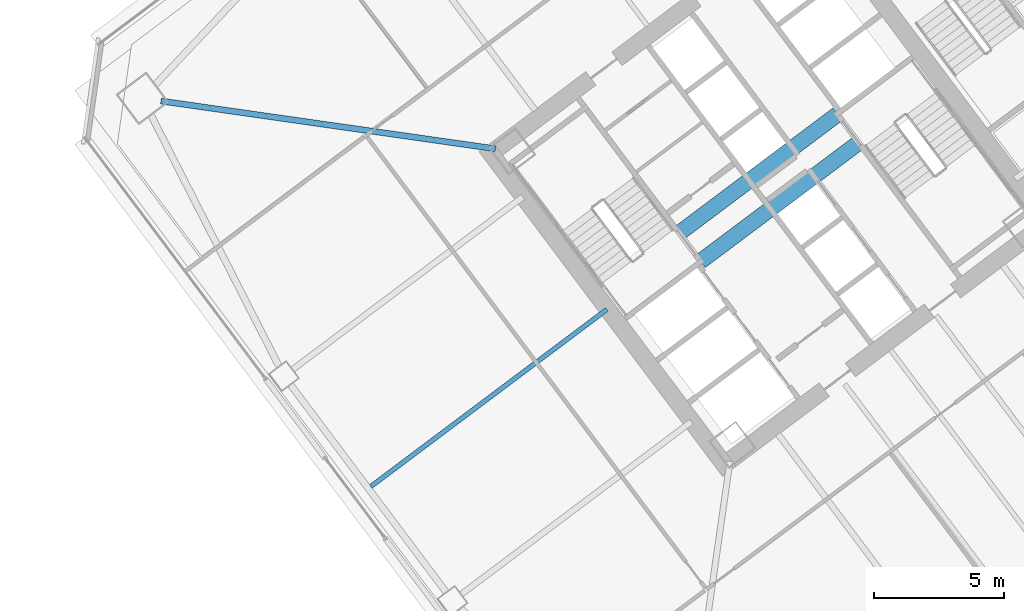
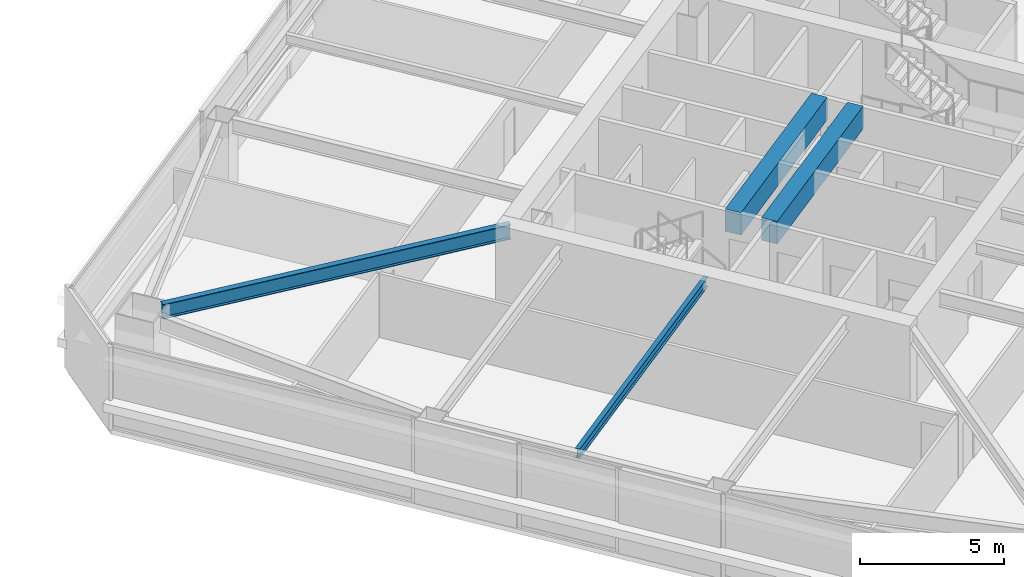
# One storey, part 22 of 46: 4 beams.
"""IFC4 building model written with IfcOpenShell, lengths in metres."""

from ifc_helpers import new_model, si_unit, direction, frame, origin, origin_2d, place, context, subcontext, project, spatial, rectangle, i_section, extrude, material, material_profile, profile_set, type_object, element, save


model = new_model("IFC4")

# Units and contexts
model_context = context("Model", 3, precision=1e-05, world=origin(), true_north=direction((0.0, 1.0)))
body_context = subcontext(model_context, "Body", "Model", "MODEL_VIEW")
ifc_project = project(units=[si_unit("LENGTHUNIT", "METRE"), si_unit("AREAUNIT", "SQUARE_METRE"), si_unit("VOLUMEUNIT", "CUBIC_METRE"), si_unit("PLANEANGLEUNIT", "RADIAN"), si_unit("MASSUNIT", "GRAM", prefix="KILO")], contexts=[model_context])

# Site, building, storey
site_placement = place(None, origin())
site = spatial("IfcSite", under=ifc_project, at=site_placement, CompositionType="ELEMENT")
building_placement = place(site_placement, origin())
building = spatial("IfcBuilding", under=site, at=building_placement, Name="Tashvorn Skyway Center", CompositionType="ELEMENT")
storey_placement = place(building_placement, frame((0.0, 0.0, 99.14990234375)))
storey = spatial("IfcBuildingStorey", under=building, at=storey_placement, Name="L26", CompositionType="ELEMENT", Elevation=99.14990234375)

# Beams
ifc_material_1 = material(Name="Steel ASTM A992 Grade 50", Category="steel")
ifc_material_profile_1 = material_profile(ifc_material_1, i_section(OverallWidth=0.22998046875, OverallDepth=0.616943359375, WebThickness=0.01318359375, FlangeThickness=0.022216796875, at=origin_2d()), Name="W24X94")
ifc_profile_set_1 = profile_set([ifc_material_profile_1], Name="Steel ASTM A992 Grade 50")
beam_type_1 = type_object("IfcBeamType", Name="BM-BEAM-W24X94", PredefinedType="BEAM", material=ifc_profile_set_1)
beam_1_placement = place(storey_placement, frame((90.6328125, 35.338134765625, 3.04150390625), z_axis=(0.989949869571, -0.141418724841, 0.0), x_axis=(0.141418724841, 0.989949869571, 0.0)))
element("IfcBeam", 1, at=beam_1_placement, inside=storey, type_object=beam_type_1, Name="Tower 2 L26 Primary Floor Girder MC-NW", PredefinedType="BEAM", context=body_context, shape_type="SweptSolid", body=[
    extrude(i_section(OverallWidth=0.22998046875, OverallDepth=0.616943359375, WebThickness=0.01318359375, FlangeThickness=0.022216796875, at=origin_2d()), origin(), (0.0, 0.0, 1.0), 12.9892578125),
])
ifc_material_profile_2 = material_profile(ifc_material_1, i_section(OverallWidth=0.177978515625, OverallDepth=0.406005859375, WebThickness=0.0078125, FlangeThickness=0.0126953125, at=origin_2d()), Name="W16X40")
ifc_profile_set_2 = profile_set([ifc_material_profile_2], Name="Steel ASTM A992 Grade 50")
beam_type_2 = type_object("IfcBeamType", Name="BM-JOIST-W16X40", PredefinedType="JOIST", material=ifc_profile_set_2)
beam_2_placement = place(storey_placement, frame((107.76806640625, 27.325927734375, 3.147216796875), z_axis=(-0.800002583493, -0.599996555327, 0.0), x_axis=(0.599996555327, -0.800002583493, 0.0)))
element("IfcBeam", 2, at=beam_2_placement, inside=storey, type_object=beam_type_2, Name="Tower 2 L26 Secondary Composite Joist JW", PredefinedType="JOIST", context=body_context, shape_type="SweptSolid", body=[
    extrude(i_section(OverallWidth=0.177978515625, OverallDepth=0.406005859375, WebThickness=0.0078125, FlangeThickness=0.0126953125, at=origin_2d()), origin(), (0.0, 0.0, 1.0), 11.340087890625),
])
ifc_material_2 = material(Name="Concrete C60/75", Category="concrete")
ifc_material_profile_3 = material_profile(ifc_material_2, rectangle(XDim=0.60009765625, YDim=0.949951171875, at=origin_2d()), Name="RCB600x950")
ifc_profile_set_3 = profile_set([ifc_material_profile_3], Name="Concrete C60/75")
beam_type_3 = type_object("IfcBeamType", Name="BM-LINTEL-RCB600x950", PredefinedType="LINTEL", material=ifc_profile_set_3)
for number, where, z_axis, x_axis, name in (
    (3, (110.552001953125, 30.263916015625, 2.875), (0.8, 0.6, 0.0), (-0.6, 0.8, 0.0), "Tower 2 L26 Core Coupling Beam CN"),
    (4, (111.367919921875, 29.176025390625, 2.875), (0.8, 0.6, 0.0), (-0.6, 0.8, 0.0), "Tower 2 L26 Core Coupling Beam CS"),
):
    element("IfcBeam", number, at=place(storey_placement, frame(where, z_axis=z_axis, x_axis=x_axis)), inside=storey, type_object=beam_type_3, Name=name, PredefinedType="LINTEL", context=body_context, shape_type="SweptSolid", body=[
        extrude(rectangle(XDim=0.60009765625, YDim=0.949951171875, at=origin_2d()), origin(), (0.0, 0.0, 1.0), 7.60009765625),
    ])

save(model, "model.ifc")
